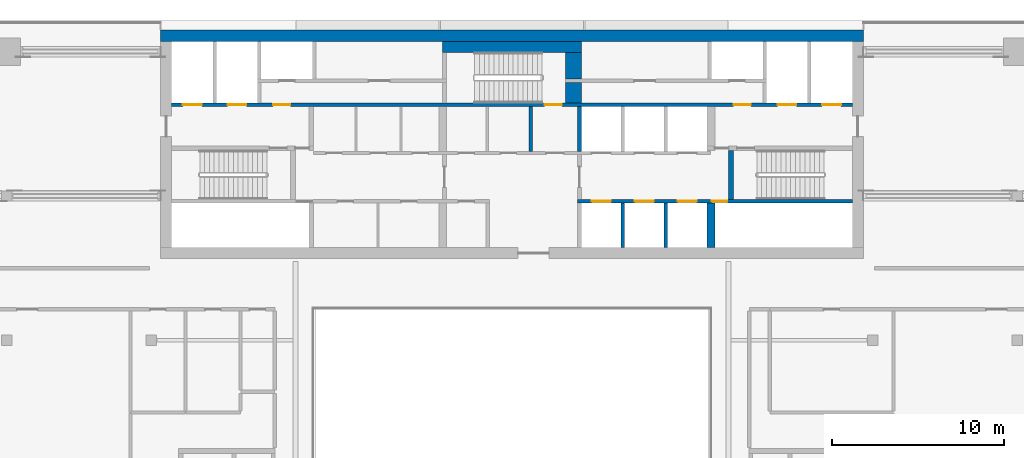
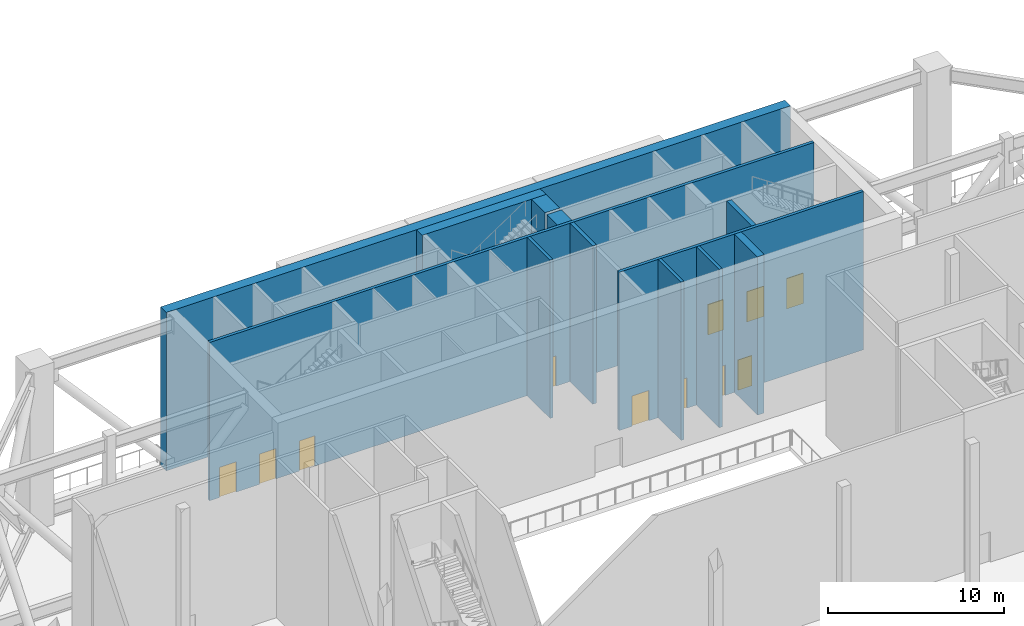
# One storey, part 6 of 19: 12 walls, 11 doors, 11 openings.
"""IFC4 building model written with IfcOpenShell, lengths in metres."""

from ifc_helpers import new_model, si_unit, direction, frame, frame_2d, origin, place, context, subcontext, project, spatial, rectangle, extrude, material, layer, layer_set, type_object, element, fill, save


model = new_model("IFC4")

# Units and contexts
model_context = context("Model", 3, precision=1e-05, world=origin(), true_north=direction((0.0, 1.0)))
body_context = subcontext(model_context, "Body", "Model", "MODEL_VIEW")
ifc_project = project(units=[si_unit("LENGTHUNIT", "METRE"), si_unit("AREAUNIT", "SQUARE_METRE"), si_unit("VOLUMEUNIT", "CUBIC_METRE"), si_unit("PLANEANGLEUNIT", "RADIAN"), si_unit("MASSUNIT", "GRAM", prefix="KILO")], contexts=[model_context])

# Site, building, storey
site_placement = place(None, origin())
site = spatial("IfcSite", under=ifc_project, at=site_placement, CompositionType="ELEMENT")
building_placement = place(site_placement, origin())
building = spatial("IfcBuilding", under=site, at=building_placement, Name="Saffron Gate Tower", CompositionType="ELEMENT")
storey_placement = place(building_placement, frame((0.0, 0.0, 194.25)))
storey = spatial("IfcBuildingStorey", under=building, at=storey_placement, Name="L48", CompositionType="ELEMENT", Elevation=194.25)

# Walls
ifc_material_1 = material(Name="Gypsum board partition on steel studs", Category="steel")
ifc_layer_1 = layer(ifc_material_1, 0.199951171875)
ifc_layer_set_1 = layer_set([ifc_layer_1], Name="CW10 Core partition 200")
wall_type_1 = type_object("IfcWallType", Name="CW10 Core partition 200", PredefinedType="PARTITIONING", material=ifc_layer_set_1)
wall_1_placement = place(storey_placement, frame((88.699951171875, 68.0, 0.0), z_axis=(0.0, 0.0, 1.0), x_axis=(0.0, 1.0, 0.0)))
element("IfcWall", 1, at=wall_1_placement, inside=storey, type_object=wall_type_1, Name="Wall CW10-L48-24", PredefinedType="PARTITIONING", context=body_context, shape_type="SweptSolid", body=[
    extrude(rectangle(XDim=2.60009765625, YDim=0.199951171875, at=frame_2d((1.300048828125, 0.0))), origin(), (0.0, 0.0, 1.0), 10.969970703125),
])
ifc_material_2 = material(Name="Concrete C60", Category="concrete")
ifc_layer_2 = layer(ifc_material_2, 0.25)
ifc_layer_set_2 = layer_set([ifc_layer_2], Name="CW14 RC core wall 250 C60")
wall_type_2 = type_object("IfcWallType", Name="CW14 RC core wall 250 C60", PredefinedType="SOLIDWALL", material=ifc_layer_set_2)
wall_2_placement = place(storey_placement, frame((91.52490234375, 68.0, 0.0), z_axis=(0.0, 0.0, 1.0), x_axis=(0.0, 1.0, 0.0)))
element("IfcWall", 2, at=wall_2_placement, inside=storey, type_object=wall_type_2, Name="Wall CW14-L48-25", PredefinedType="SOLIDWALL", context=body_context, shape_type="SweptSolid", body=[
    extrude(rectangle(XDim=2.60009765625, YDim=0.25, at=frame_2d((1.300048828125, 0.0))), origin(), (0.0, 0.0, 1.0), 10.969970703125),
])
ifc_layer_3 = layer(ifc_material_2, 0.199951171875)
ifc_layer_set_3 = layer_set([ifc_layer_3], Name="CW15 RC core wall 200 C60")
wall_type_3 = type_object("IfcWallType", Name="CW15 RC core wall 200 C60", PredefinedType="SOLIDWALL", material=ifc_layer_set_3)
for number, where, z_axis, x_axis, name in (
    (3, (94.050048828125, 62.39990234375, 0.0), (0.0, 0.0, 1.0), (0.0, 1.0, 0.0), "Wall CW15-L48-10"),
    (4, (96.550048828125, 62.39990234375, 0.0), (0.0, 0.0, 1.0), (0.0, 1.0, 0.0), "Wall CW15-L48-11"),
):
    element("IfcWall", number, at=place(storey_placement, frame(where, z_axis=z_axis, x_axis=x_axis)), inside=storey, type_object=wall_type_3, Name=name, PredefinedType="SOLIDWALL", context=body_context, shape_type="SweptSolid", body=[
        extrude(rectangle(XDim=2.60009765625, YDim=0.199951171875, at=frame_2d((1.300048828125, 0.0))), origin(), (0.0, 0.0, 1.0), 10.969970703125),
    ])

# Wall, openings, doors
wall_3_placement = place(storey_placement, frame((91.39990234375, 65.10009765625, 0.0), z_axis=(0.0, 0.0, 1.0), x_axis=(1.0, 0.0, 0.0)))
wall_3 = element("IfcWall", 5, at=wall_3_placement, inside=storey, type_object=wall_type_3, Name="Wall CW15-L48-14", PredefinedType="SOLIDWALL", context=body_context, shape_type="SweptSolid", body=[
    extrude(rectangle(XDim=16.0, YDim=0.199951171875, at=frame_2d((8.0, 0.0))), origin(), (0.0, 0.0, 1.0), 10.969970703125),
])
opening_1_placement = place(wall_3_placement, frame((0.85009765625, 0.0, 0.0)))
opening_1 = element("IfcOpeningElement", 6, at=opening_1_placement, cuts=wall_3, Name="Opening LD-HR1", PredefinedType="OPENING", context=body_context, shape_type="SweptSolid", body=[
    extrude(rectangle(XDim=1.10009765625, YDim=2.10009765625, at=frame_2d((0.550048828125, 1.050048828125))), frame((0.0, 0.10986328125, 0.0), z_axis=(0.0, -1.0, 0.0), x_axis=(1.0, 0.0, 0.0)), (0.0, 0.0, 1.0), 0.219970703125),
])
opening_2_placement = place(wall_3_placement, frame((3.35009765625, 0.0, 0.0)))
opening_2 = element("IfcOpeningElement", 7, at=opening_2_placement, cuts=wall_3, Name="Opening LD-HR2", PredefinedType="OPENING", context=body_context, shape_type="SweptSolid", body=[
    extrude(rectangle(XDim=1.10009765625, YDim=2.10009765625, at=frame_2d((0.550048828125, 1.050048828125))), frame((0.0, 0.10986328125, 0.0), z_axis=(0.0, -1.0, 0.0), x_axis=(1.0, 0.0, 0.0)), (0.0, 0.0, 1.0), 0.219970703125),
])
opening_3_placement = place(wall_3_placement, frame((5.85009765625, 0.0, 0.0)))
opening_3 = element("IfcOpeningElement", 8, at=opening_3_placement, cuts=wall_3, Name="Opening LD-HR3", PredefinedType="OPENING", context=body_context, shape_type="SweptSolid", body=[
    extrude(rectangle(XDim=1.10009765625, YDim=2.10009765625, at=frame_2d((0.550048828125, 1.050048828125))), frame((0.0, 0.10986328125, 0.0), z_axis=(0.0, -1.0, 0.0), x_axis=(1.0, 0.0, 0.0)), (0.0, 0.0, 1.0), 0.219970703125),
])
opening_4_placement = place(wall_3_placement, frame((7.830078125, 0.0, 0.0)))
opening_4 = element("IfcOpeningElement", 9, at=opening_4_placement, cuts=wall_3, Name="Opening CR-48", PredefinedType="OPENING", context=body_context, shape_type="SweptSolid", body=[
    extrude(rectangle(XDim=0.89990234375, YDim=2.10009765625, at=frame_2d((0.449951171875, 1.050048828125))), frame((0.0, 0.10986328125, 0.0), z_axis=(0.0, -1.0, 0.0), x_axis=(1.0, 0.0, 0.0)), (0.0, 0.0, 1.0), 0.219970703125),
])
ifc_material_3 = material(Name="Steel fire door set", Category="steel")
door_type_1 = type_object("IfcDoorType", Name="CD2 Riser door 900x2100 EI 60", OperationType="NOTDEFINED", PredefinedType="DOOR", material=ifc_material_3)
door_1_placement = place(opening_4_placement, origin())
door_1 = element("IfcDoor", 10, at=door_1_placement, inside=storey, type_object=door_type_1, Name="DOOR CR-48", OperationType="SINGLE_SWING_RIGHT", OverallHeight=2.10009765625, OverallWidth=0.89990234375, PredefinedType="DOOR", context=body_context, shape_type="SweptSolid", body=[
    extrude(rectangle(XDim=0.89990234375, YDim=2.10009765625, at=frame_2d((0.449951171875, 1.050048828125))), frame((0.0, 0.02490234375, 0.0), z_axis=(0.0, -1.0, 0.0), x_axis=(1.0, 0.0, 0.0)), (0.0, 0.0, 1.0), 0.050048828125),
])
fill(opening_4, door_1)
ifc_material_4 = material(Name="Stainless steel landing door", Category="steel")
door_type_2 = type_object("IfcDoorType", Name="LD Lift landing door 1100x2100 EI 120", OperationType="SLIDING_TO_LEFT", PredefinedType="DOOR", material=ifc_material_4)
door_2_placement = place(opening_1_placement, origin())
door_2 = element("IfcDoor", 11, at=door_2_placement, inside=storey, type_object=door_type_2, Name="LANDING DOOR LD-HR1", OperationType="SLIDING_TO_LEFT", OverallHeight=2.10009765625, OverallWidth=1.10009765625, PredefinedType="DOOR", context=body_context, shape_type="SweptSolid", body=[
    extrude(rectangle(XDim=1.10009765625, YDim=2.10009765625, at=frame_2d((0.550048828125, 1.050048828125))), frame((0.0, 0.02490234375, 0.0), z_axis=(0.0, -1.0, 0.0), x_axis=(1.0, 0.0, 0.0)), (0.0, 0.0, 1.0), 0.050048828125),
])
fill(opening_1, door_2)
door_3_placement = place(opening_2_placement, origin())
door_3 = element("IfcDoor", 12, at=door_3_placement, inside=storey, type_object=door_type_2, Name="LANDING DOOR LD-HR2", OperationType="SLIDING_TO_LEFT", OverallHeight=2.10009765625, OverallWidth=1.10009765625, PredefinedType="DOOR", context=body_context, shape_type="SweptSolid", body=[
    extrude(rectangle(XDim=1.10009765625, YDim=2.10009765625, at=frame_2d((0.550048828125, 1.050048828125))), frame((0.0, 0.02490234375, 0.0), z_axis=(0.0, -1.0, 0.0), x_axis=(1.0, 0.0, 0.0)), (0.0, 0.0, 1.0), 0.050048828125),
])
fill(opening_2, door_3)
door_4_placement = place(opening_3_placement, origin())
door_4 = element("IfcDoor", 13, at=door_4_placement, inside=storey, type_object=door_type_2, Name="LANDING DOOR LD-HR3", OperationType="SLIDING_TO_LEFT", OverallHeight=2.10009765625, OverallWidth=1.10009765625, PredefinedType="DOOR", context=body_context, shape_type="SweptSolid", body=[
    extrude(rectangle(XDim=1.10009765625, YDim=2.10009765625, at=frame_2d((0.550048828125, 1.050048828125))), frame((0.0, 0.02490234375, 0.0), z_axis=(0.0, -1.0, 0.0), x_axis=(1.0, 0.0, 0.0)), (0.0, 0.0, 1.0), 0.050048828125),
])
fill(opening_3, door_4)

wall_4_placement = place(storey_placement, frame((67.800048828125, 70.699951171875, 0.0), z_axis=(0.0, 0.0, 1.0), x_axis=(1.0, 0.0, 0.0)))
wall_4 = element("IfcWall", 14, at=wall_4_placement, inside=storey, type_object=wall_type_3, Name="Wall CW15-L48-33", PredefinedType="SOLIDWALL", context=body_context, shape_type="SweptSolid", body=[
    extrude(rectangle(XDim=39.599853515625, YDim=0.199951171875, at=frame_2d((19.7998046875, 0.0))), origin(), (0.0, 0.0, 1.0), 10.969970703125),
])
opening_5_placement = place(wall_4_placement, frame((0.64990234375, 0.0, 0.0)))
opening_5 = element("IfcOpeningElement", 15, at=opening_5_placement, cuts=wall_4, Name="Opening LD-FF1", PredefinedType="OPENING", context=body_context, shape_type="SweptSolid", body=[
    extrude(rectangle(XDim=1.10009765625, YDim=2.10009765625, at=frame_2d((0.550048828125, 1.050048828125))), frame((0.0, 0.10986328125, 0.0), z_axis=(0.0, -1.0, 0.0), x_axis=(1.0, 0.0, 0.0)), (0.0, 0.0, 1.0), 0.219970703125),
])
opening_6_placement = place(wall_4_placement, frame((3.25, 0.0, 0.0)))
opening_6 = element("IfcOpeningElement", 16, at=opening_6_placement, cuts=wall_4, Name="Opening LD-SV1", PredefinedType="OPENING", context=body_context, shape_type="SweptSolid", body=[
    extrude(rectangle(XDim=1.10009765625, YDim=2.10009765625, at=frame_2d((0.550048828125, 1.050048828125))), frame((0.0, 0.10986328125, 0.0), z_axis=(0.0, -1.0, 0.0), x_axis=(1.0, 0.0, 0.0)), (0.0, 0.0, 1.0), 0.219970703125),
])
opening_7_placement = place(wall_4_placement, frame((5.89990234375, 0.0, 0.0)))
opening_7 = element("IfcOpeningElement", 17, at=opening_7_placement, cuts=wall_4, Name="Opening CR-03", PredefinedType="OPENING", context=body_context, shape_type="SweptSolid", body=[
    extrude(rectangle(XDim=1.0, YDim=2.10009765625, at=frame_2d((0.5, 1.050048828125))), frame((0.0, 0.10986328125, 0.0), z_axis=(0.0, -1.0, 0.0), x_axis=(1.0, 0.0, 0.0)), (0.0, 0.0, 1.0), 0.219970703125),
])
opening_8_placement = place(wall_4_placement, frame((21.699951171875, 0.0, 0.0)))
opening_8 = element("IfcOpeningElement", 18, at=opening_8_placement, cuts=wall_4, Name="Opening CR-17", PredefinedType="OPENING", context=body_context, shape_type="SweptSolid", body=[
    extrude(rectangle(XDim=1.0, YDim=2.10009765625, at=frame_2d((0.5, 1.050048828125))), frame((0.0, 0.10986328125, 0.0), z_axis=(0.0, -1.0, 0.0), x_axis=(1.0, 0.0, 0.0)), (0.0, 0.0, 1.0), 0.219970703125),
])
opening_9_placement = place(wall_4_placement, frame((32.699951171875, 0.0, 0.0)))
opening_9 = element("IfcOpeningElement", 19, at=opening_9_placement, cuts=wall_4, Name="Opening CR-04", PredefinedType="OPENING", context=body_context, shape_type="SweptSolid", body=[
    extrude(rectangle(XDim=1.0, YDim=2.10009765625, at=frame_2d((0.5, 1.050048828125))), frame((0.0, 0.10986328125, 0.0), z_axis=(0.0, -1.0, 0.0), x_axis=(1.0, 0.0, 0.0)), (0.0, 0.0, 1.0), 0.219970703125),
])
opening_10_placement = place(wall_4_placement, frame((35.25, 0.0, 0.0)))
opening_10 = element("IfcOpeningElement", 20, at=opening_10_placement, cuts=wall_4, Name="Opening LD-SV2", PredefinedType="OPENING", context=body_context, shape_type="SweptSolid", body=[
    extrude(rectangle(XDim=1.10009765625, YDim=2.10009765625, at=frame_2d((0.550048828125, 1.050048828125))), frame((0.0, 0.10986328125, 0.0), z_axis=(0.0, -1.0, 0.0), x_axis=(1.0, 0.0, 0.0)), (0.0, 0.0, 1.0), 0.219970703125),
])
opening_11_placement = place(wall_4_placement, frame((37.85009765625, 0.0, 0.0)))
opening_11 = element("IfcOpeningElement", 21, at=opening_11_placement, cuts=wall_4, Name="Opening LD-FF2", PredefinedType="OPENING", context=body_context, shape_type="SweptSolid", body=[
    extrude(rectangle(XDim=1.10009765625, YDim=2.10009765625, at=frame_2d((0.550048828125, 1.050048828125))), frame((0.0, 0.10986328125, 0.0), z_axis=(0.0, -1.0, 0.0), x_axis=(1.0, 0.0, 0.0)), (0.0, 0.0, 1.0), 0.219970703125),
])
door_type_3 = type_object("IfcDoorType", Name="CD4 Lobby door 1000x2100 EI 120", OperationType="NOTDEFINED", PredefinedType="DOOR", material=ifc_material_3)
door_5_placement = place(opening_7_placement, origin())
door_5 = element("IfcDoor", 22, at=door_5_placement, inside=storey, type_object=door_type_3, Name="DOOR CR-03", OperationType="SINGLE_SWING_LEFT", OverallHeight=2.10009765625, OverallWidth=1.0, PredefinedType="DOOR", context=body_context, shape_type="SweptSolid", body=[
    extrude(rectangle(XDim=1.0, YDim=2.10009765625, at=frame_2d((0.5, 1.050048828125))), frame((0.0, 0.02490234375, 0.0), z_axis=(0.0, -1.0, 0.0), x_axis=(1.0, 0.0, 0.0)), (0.0, 0.0, 1.0), 0.050048828125),
])
fill(opening_7, door_5)
door_6_placement = place(opening_9_placement, origin())
door_6 = element("IfcDoor", 23, at=door_6_placement, inside=storey, type_object=door_type_3, Name="DOOR CR-04", OperationType="SINGLE_SWING_RIGHT", OverallHeight=2.10009765625, OverallWidth=1.0, PredefinedType="DOOR", context=body_context, shape_type="SweptSolid", body=[
    extrude(rectangle(XDim=1.0, YDim=2.10009765625, at=frame_2d((0.5, 1.050048828125))), frame((0.0, 0.02490234375, 0.0), z_axis=(0.0, -1.0, 0.0), x_axis=(1.0, 0.0, 0.0)), (0.0, 0.0, 1.0), 0.050048828125),
])
fill(opening_9, door_6)
door_type_4 = type_object("IfcDoorType", Name="CD5 Stair door 1000x2100 EI 120", OperationType="NOTDEFINED", PredefinedType="DOOR", material=ifc_material_3)
door_7_placement = place(opening_8_placement, origin())
door_7 = element("IfcDoor", 24, at=door_7_placement, inside=storey, type_object=door_type_4, Name="DOOR CR-17", OperationType="SINGLE_SWING_RIGHT", OverallHeight=2.10009765625, OverallWidth=1.0, PredefinedType="DOOR", context=body_context, shape_type="SweptSolid", body=[
    extrude(rectangle(XDim=1.0, YDim=2.10009765625, at=frame_2d((0.5, 1.050048828125))), frame((0.0, 0.02490234375, 0.0), z_axis=(0.0, -1.0, 0.0), x_axis=(1.0, 0.0, 0.0)), (0.0, 0.0, 1.0), 0.050048828125),
])
fill(opening_8, door_7)
door_8_placement = place(opening_5_placement, origin())
door_8 = element("IfcDoor", 25, at=door_8_placement, inside=storey, type_object=door_type_2, Name="LANDING DOOR LD-FF1", OperationType="SLIDING_TO_RIGHT", OverallHeight=2.10009765625, OverallWidth=1.10009765625, PredefinedType="DOOR", context=body_context, shape_type="SweptSolid", body=[
    extrude(rectangle(XDim=1.10009765625, YDim=2.10009765625, at=frame_2d((0.550048828125, 1.050048828125))), frame((0.0, 0.02490234375, 0.0), z_axis=(0.0, -1.0, 0.0), x_axis=(1.0, 0.0, 0.0)), (0.0, 0.0, 1.0), 0.050048828125),
])
fill(opening_5, door_8)
door_9_placement = place(opening_6_placement, origin())
door_9 = element("IfcDoor", 26, at=door_9_placement, inside=storey, type_object=door_type_2, Name="LANDING DOOR LD-SV1", OperationType="SLIDING_TO_RIGHT", OverallHeight=2.10009765625, OverallWidth=1.10009765625, PredefinedType="DOOR", context=body_context, shape_type="SweptSolid", body=[
    extrude(rectangle(XDim=1.10009765625, YDim=2.10009765625, at=frame_2d((0.550048828125, 1.050048828125))), frame((0.0, 0.02490234375, 0.0), z_axis=(0.0, -1.0, 0.0), x_axis=(1.0, 0.0, 0.0)), (0.0, 0.0, 1.0), 0.050048828125),
])
fill(opening_6, door_9)
door_10_placement = place(opening_10_placement, origin())
door_10 = element("IfcDoor", 27, at=door_10_placement, inside=storey, type_object=door_type_2, Name="LANDING DOOR LD-SV2", OperationType="SLIDING_TO_RIGHT", OverallHeight=2.10009765625, OverallWidth=1.10009765625, PredefinedType="DOOR", context=body_context, shape_type="SweptSolid", body=[
    extrude(rectangle(XDim=1.10009765625, YDim=2.10009765625, at=frame_2d((0.550048828125, 1.050048828125))), frame((0.0, 0.02490234375, 0.0), z_axis=(0.0, -1.0, 0.0), x_axis=(1.0, 0.0, 0.0)), (0.0, 0.0, 1.0), 0.050048828125),
])
fill(opening_10, door_10)
door_11_placement = place(opening_11_placement, origin())
door_11 = element("IfcDoor", 28, at=door_11_placement, inside=storey, type_object=door_type_2, Name="LANDING DOOR LD-FF2", OperationType="SLIDING_TO_RIGHT", OverallHeight=2.10009765625, OverallWidth=1.10009765625, PredefinedType="DOOR", context=body_context, shape_type="SweptSolid", body=[
    extrude(rectangle(XDim=1.10009765625, YDim=2.10009765625, at=frame_2d((0.550048828125, 1.050048828125))), frame((0.0, 0.02490234375, 0.0), z_axis=(0.0, -1.0, 0.0), x_axis=(1.0, 0.0, 0.0)), (0.0, 0.0, 1.0), 0.050048828125),
])
fill(opening_11, door_11)

# Walls
ifc_layer_4 = layer(ifc_material_2, 0.449951171875)
ifc_layer_set_4 = layer_set([ifc_layer_4], Name="CW16 RC core wall 450 C60")
wall_type_4 = type_object("IfcWallType", Name="CW16 RC core wall 450 C60", PredefinedType="SOLIDWALL", material=ifc_layer_set_4)
wall_5_placement = place(storey_placement, frame((99.175048828125, 62.39990234375, 0.0), z_axis=(0.0, 0.0, 1.0), x_axis=(0.0, 1.0, 0.0)))
element("IfcWall", 29, at=wall_5_placement, inside=storey, type_object=wall_type_4, Name="Wall CW16-L48-12", PredefinedType="SOLIDWALL", context=body_context, shape_type="SweptSolid", body=[
    extrude(rectangle(XDim=2.60009765625, YDim=0.449951171875, at=frame_2d((1.300048828125, 0.0))), origin(), (0.0, 0.0, 1.0), 10.969970703125),
])
ifc_layer_5 = layer(ifc_material_2, 0.300048828125)
ifc_layer_set_5 = layer_set([ifc_layer_5], Name="CW17 RC core wall 300 C60")
wall_type_5 = type_object("IfcWallType", Name="CW17 RC core wall 300 C60", PredefinedType="SOLIDWALL", material=ifc_layer_set_5)
wall_6_placement = place(storey_placement, frame((100.35009765625, 65.199951171875, 0.0), z_axis=(0.0, 0.0, 1.0), x_axis=(0.0, 1.0, 0.0)))
element("IfcWall", 30, at=wall_6_placement, inside=storey, type_object=wall_type_5, Name="Wall CW17-L48-18", PredefinedType="SOLIDWALL", context=body_context, shape_type="SweptSolid", body=[
    extrude(rectangle(XDim=2.85009765625, YDim=0.300048828125, at=frame_2d((1.425048828125, 0.0))), origin(), (0.0, 0.0, 1.0), 10.969970703125),
])
ifc_layer_6 = layer(ifc_material_2, 0.949951171875)
ifc_layer_set_6 = layer_set([ifc_layer_6], Name="CW19 RC core wall 950 C60")
wall_type_6 = type_object("IfcWallType", Name="CW19 RC core wall 950 C60", PredefinedType="SOLIDWALL", material=ifc_layer_set_6)
wall_7_placement = place(storey_placement, frame((91.175048828125, 70.800048828125, 0.0), z_axis=(0.0, 0.0, 1.0), x_axis=(0.0, 1.0, 0.0)))
element("IfcWall", 31, at=wall_7_placement, inside=storey, type_object=wall_type_6, Name="Wall CW19-L48-37", PredefinedType="SOLIDWALL", context=body_context, shape_type="SweptSolid", body=[
    extrude(rectangle(XDim=1.199951171875, YDim=0.949951171875, at=frame_2d((0.60009765625, 0.0))), origin(), (0.0, 0.0, 1.0), 10.969970703125),
])
wall_8_placement = place(storey_placement, frame((91.175048828125, 72.199951171875, 0.0), z_axis=(0.0, 0.0, 1.0), x_axis=(0.0, 1.0, 0.0)))
element("IfcWall", 32, at=wall_8_placement, inside=storey, type_object=wall_type_6, Name="Wall CW19-L48-45", PredefinedType="SOLIDWALL", context=body_context, shape_type="SweptSolid", body=[
    extrude(rectangle(XDim=1.550048828125, YDim=0.949951171875, at=frame_2d((0.77490234375, 0.0))), origin(), (0.0, 0.0, 1.0), 10.969970703125),
])
ifc_layer_7 = layer(ifc_material_2, 0.64990234375)
ifc_layer_set_7 = layer_set([ifc_layer_7], Name="CW20 RC core wall 650 C60")
wall_type_7 = type_object("IfcWallType", Name="CW20 RC core wall 650 C60", PredefinedType="SOLIDWALL", material=ifc_layer_set_7)
wall_9_placement = place(storey_placement, frame((67.14990234375, 74.72509765625, 0.0), z_axis=(0.0, 0.0, 1.0), x_axis=(1.0, 0.0, 0.0)))
element("IfcWall", 33, at=wall_9_placement, inside=storey, type_object=wall_type_7, Name="Wall CW20-L48-2", PredefinedType="SOLIDWALL", context=body_context, shape_type="SweptSolid", body=[
    extrude(rectangle(XDim=40.900146484375, YDim=0.64990234375, at=frame_2d((20.4501953125, 0.0))), origin(), (0.0, 0.0, 1.0), 10.969970703125),
])
wall_10_placement = place(storey_placement, frame((83.550048828125, 74.074951171875, 0.0), z_axis=(0.0, 0.0, 1.0), x_axis=(1.0, 0.0, 0.0)))
element("IfcWall", 34, at=wall_10_placement, inside=storey, type_object=wall_type_7, Name="Wall CW20-L48-48", PredefinedType="SOLIDWALL", context=body_context, shape_type="SweptSolid", body=[
    extrude(rectangle(XDim=8.099853515625, YDim=0.64990234375, at=frame_2d((4.0498046875, 0.0))), origin(), (0.0, 0.0, 1.0), 10.969970703125),
])

save(model, "model.ifc")
